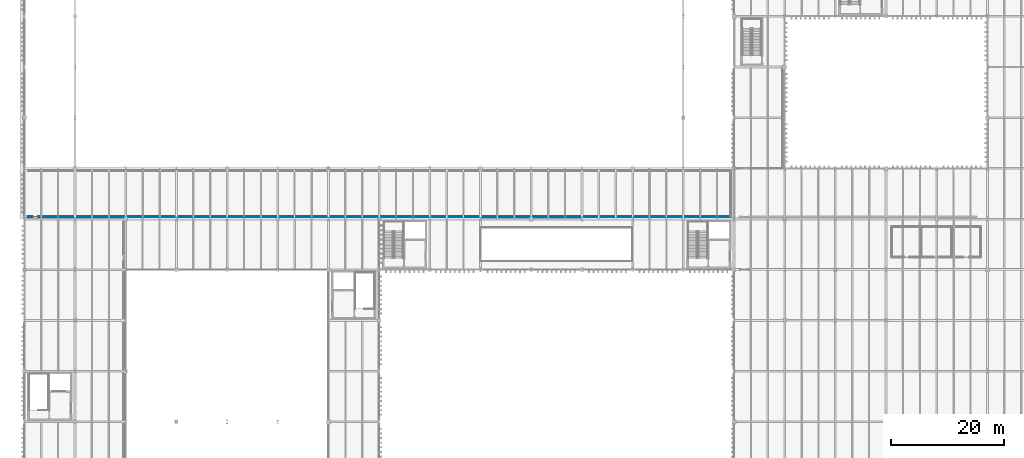
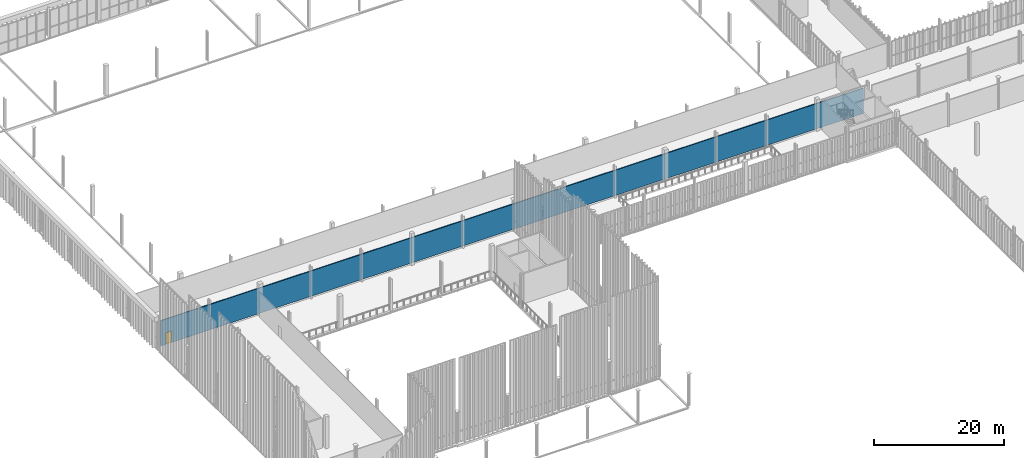
# One storey, part 206 of 237: 1 door, 1 wall, 1 opening.
"""IFC4 building model written with IfcOpenShell, lengths in metres."""

from ifc_helpers import new_model, si_unit, direction, frame, frame_2d, origin, place, context, subcontext, project, spatial, rectangle, extrude, material, layer, layer_set, type_object, element, fill, save


model = new_model("IFC4")

# Units and contexts
model_context = context("Model", 3, precision=1e-05, world=origin(), true_north=direction((0.0, 1.0)))
body_context = subcontext(model_context, "Body", "Model", "MODEL_VIEW")
ifc_project = project(units=[si_unit("LENGTHUNIT", "METRE"), si_unit("AREAUNIT", "SQUARE_METRE"), si_unit("VOLUMEUNIT", "CUBIC_METRE"), si_unit("PLANEANGLEUNIT", "RADIAN"), si_unit("MASSUNIT", "GRAM", prefix="KILO")], contexts=[model_context])

# Site, building, storey
site_placement = place(None, origin())
site = spatial("IfcSite", under=ifc_project, at=site_placement, CompositionType="ELEMENT")
building_placement = place(site_placement, origin())
building = spatial("IfcBuilding", under=site, at=building_placement, Name="Barlavento Convention Centre", CompositionType="ELEMENT")
storey_placement = place(building_placement, frame((0.0, 0.0, 12.0)))
storey = spatial("IfcBuildingStorey", under=building, at=storey_placement, Name="L02", CompositionType="ELEMENT", Elevation=12.0)

# Wall, opening, door
ifc_material_1 = material(Name="Fire-rated gypsum partition")
ifc_layer = layer(ifc_material_1, 0.169921875)
ifc_layer_set = layer_set([ifc_layer], Name="ARC-WL-PART-170")
wall_type = type_object("IfcWallType", Name="ARC-WL-PART-170", PredefinedType="PARTITIONING", material=ifc_layer_set)
wall_placement = place(storey_placement, frame((0.60009765625, 54.39990234375, 0.0), z_axis=(0.0, 0.0, 1.0), x_axis=(1.0, 0.0, 0.0)))
wall = element("IfcWall", 1, at=wall_placement, inside=storey, type_object=wall_type, Name="L02 interior wall PT-02", PredefinedType="PARTITIONING", context=body_context, shape_type="SweptSolid", body=[
    extrude(rectangle(XDim=124.7998046875, YDim=0.169921875, at=frame_2d((62.39990234375, 0.0))), origin(), (0.0, 0.0, 1.0), 4.75),
])
opening_placement = place(wall_placement, frame((0.85009765625, 0.0, 0.0)))
opening = element("IfcOpeningElement", 2, at=opening_placement, cuts=wall, Name="Opening ID-07", PredefinedType="OPENING", context=body_context, shape_type="SweptSolid", body=[
    extrude(rectangle(XDim=1.02001953125, YDim=2.14990234375, at=frame_2d((0.510009765625, 1.074951171875))), frame((0.0, 0.094970703125, 0.0), z_axis=(0.0, -1.0, 0.0), x_axis=(1.0, 0.0, 0.0)), (0.0, 0.0, 1.0), 0.18994140625),
])
ifc_material_2 = material(Name="Timber veneer acoustic core", Category="wood")
door_type = type_object("IfcDoorType", Name="ARC-DR-ROOM-1020X2150", OperationType="NOTDEFINED", PredefinedType="DOOR", material=ifc_material_2)
door_placement = place(opening_placement, origin())
door = element("IfcDoor", 3, at=door_placement, inside=storey, type_object=door_type, Name="DR-INT-L02-0231 L02 interior door ID-07", OperationType="SINGLE_SWING_RIGHT", OverallHeight=2.14990234375, OverallWidth=1.02001953125, PredefinedType="DOOR", context=body_context, shape_type="SweptSolid", body=[
    extrude(rectangle(XDim=1.02001953125, YDim=2.14990234375, at=frame_2d((0.510009765625, 1.074951171875))), frame((0.0, 0.02490234375, 0.0), z_axis=(0.0, -1.0, 0.0), x_axis=(1.0, 0.0, 0.0)), (0.0, 0.0, 1.0), 0.050048828125),
])
fill(opening, door)

save(model, "model.ifc")
